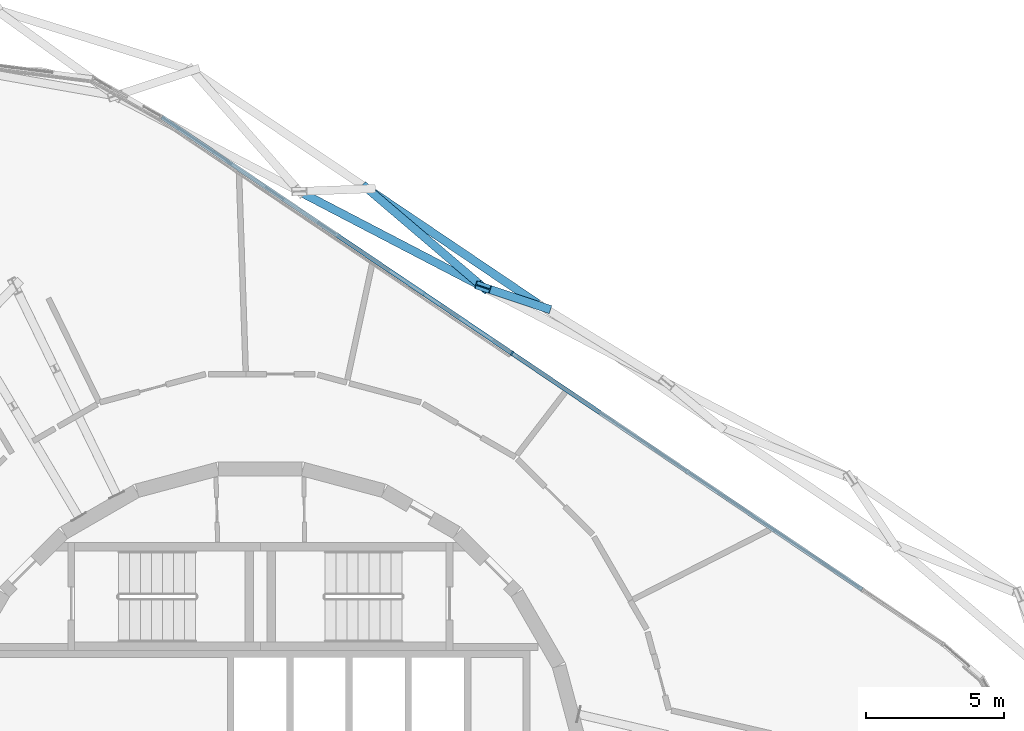
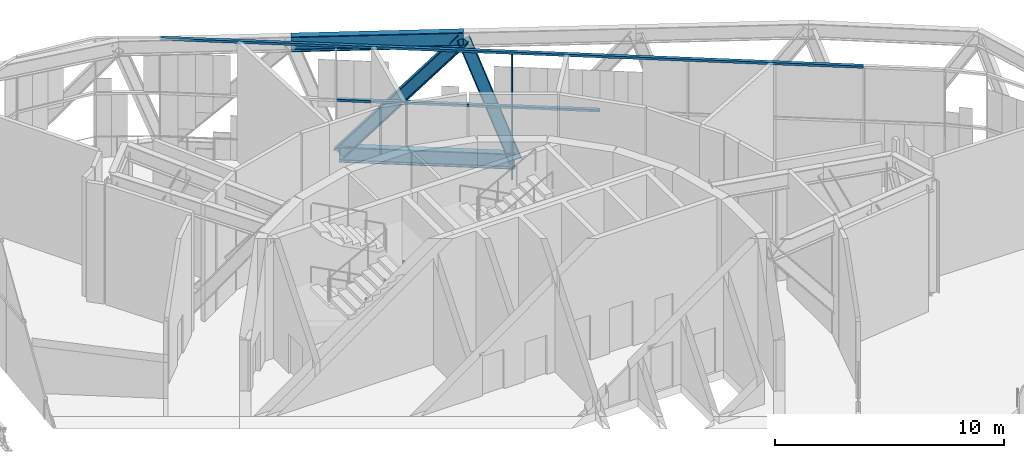
# One storey, part 6 of 24: 9 members, 1 element without a shape of its own.
"""IFC4 building model written with IfcOpenShell, lengths in metres."""

from ifc_helpers import new_model, si_unit, direction, frame, origin, origin_2d, place, context, subcontext, project, spatial, rectangle, i_section, extrude, material, layer, layer_set, material_profile, profile_set, type_object, element, aggregate, save


model = new_model("IFC4")

# Units and contexts
model_context = context("Model", 3, precision=1e-05, world=origin(), true_north=direction((0.0, 1.0)))
body_context = subcontext(model_context, "Body", "Model", "MODEL_VIEW")
ifc_project = project(units=[si_unit("LENGTHUNIT", "METRE"), si_unit("AREAUNIT", "SQUARE_METRE"), si_unit("VOLUMEUNIT", "CUBIC_METRE"), si_unit("PLANEANGLEUNIT", "RADIAN"), si_unit("MASSUNIT", "GRAM", prefix="KILO")], contexts=[model_context])

# Site, building, storey
site_placement = place(None, origin())
site = spatial("IfcSite", under=ifc_project, at=site_placement, CompositionType="ELEMENT")
building_placement = place(site_placement, origin())
building = spatial("IfcBuilding", under=site, at=building_placement, Name="Spindle Arch Residences", CompositionType="ELEMENT")
storey_placement = place(building_placement, frame((0.0, 0.0, 219.89990234375)))
storey = spatial("IfcBuildingStorey", under=building, at=storey_placement, Name="L56", CompositionType="ELEMENT", Elevation=219.89990234375)

# Members
ifc_material_1 = material(Name="Steel S460ML, intumescent coating R 240", Category="steel")
ifc_material_profile_1 = material_profile(ifc_material_1, i_section(OverallWidth=0.302978515625, OverallDepth=0.81396484375, WebThickness=0.02099609375, FlangeThickness=0.0400390625, FilletRadius=0.030029296875, at=origin_2d()), Name="HEM 800")
ifc_profile_set_1 = profile_set([ifc_material_profile_1], Name="Steel S460ML, intumescent coating R 240")
member_type_1 = type_object("IfcMemberType", Name="Belt truss chord HEM 800", PredefinedType="CHORD", material=ifc_profile_set_1)
member_1_placement = place(storey_placement, frame((10.27783203125, 17.530517578125, -0.85693359375), z_axis=(-0.829040654635, 0.559188334072, 0.0), x_axis=(-0.559188334072, -0.829040654635, 0.0)))
element("IfcMember", 1, at=member_1_placement, inside=storey, type_object=member_type_1, Name="Belt truss bottom chord L56.8", PredefinedType="CHORD", context=body_context, shape_type="SweptSolid", body=[
    extrude(i_section(OverallWidth=0.302978515625, OverallDepth=0.81396484375, WebThickness=0.02099609375, FlangeThickness=0.0400390625, FilletRadius=0.030029296875, at=origin_2d()), origin(), (0.0, 0.0, 1.0), 7.69384765625),
])
member_2_placement = place(storey_placement, frame((8.09130859375, 18.261474609375, 5.943115234375), z_axis=(-0.88700649569, 0.461756945377, 0.0), x_axis=(-0.461756945377, -0.88700649569, 0.0)))
element("IfcMember", 2, at=member_2_placement, inside=storey, type_object=member_type_1, Name="Belt truss top chord L56.8", PredefinedType="CHORD", context=body_context, shape_type="SweptSolid", body=[
    extrude(i_section(OverallWidth=0.302978515625, OverallDepth=0.81396484375, WebThickness=0.02099609375, FlangeThickness=0.0400390625, FilletRadius=0.030029296875, at=origin_2d()), origin(), (0.0, 0.0, 1.0), 7.530029296875),
])
ifc_material_2 = material(Name="Steel S460ML, intumescent coating R 240", Category="steel")
ifc_material_profile_2 = material_profile(ifc_material_2, i_section(OverallWidth=0.300048828125, OverallDepth=0.60009765625, WebThickness=0.015380859375, FlangeThickness=0.030029296875, FilletRadius=0.027099609375, at=origin_2d()), Name="HEB 600")
ifc_profile_set_2 = profile_set([ifc_material_profile_2], Name="Steel S460ML, intumescent coating R 240")
member_type_2 = type_object("IfcMemberType", Name="Belt truss diagonal HEB 600", PredefinedType="BRACE", material=ifc_profile_set_2)
member_3_placement = place(storey_placement, frame((10.27783203125, 17.530517578125, -0.85693359375), z_axis=(-0.304519546175, 0.101801197102, 0.947050348327), x_axis=(-0.317053637596, -0.948407607987, 0.0)))
element("IfcMember", 3, at=member_3_placement, inside=storey, type_object=member_type_2, Name="Belt truss diagonal L56.8.8", PredefinedType="BRACE", context=body_context, shape_type="SweptSolid", body=[
    extrude(i_section(OverallWidth=0.300048828125, OverallDepth=0.60009765625, WebThickness=0.015380859375, FlangeThickness=0.030029296875, FilletRadius=0.027099609375, at=origin_2d()), origin(), (0.0, 0.0, 1.0), 7.18017578125),
])
member_4_placement = place(storey_placement, frame((3.8994140625, 21.832763671875, -0.85693359375), z_axis=(0.479060366425, -0.408135995345, 0.777126871639), x_axis=(0.648510224153, 0.761205943992, 0.0)))
element("IfcMember", 4, at=member_4_placement, inside=storey, type_object=member_type_2, Name="Belt truss diagonal L56.8.9", PredefinedType="BRACE", context=body_context, shape_type="SweptSolid", body=[
    extrude(i_section(OverallWidth=0.300048828125, OverallDepth=0.60009765625, WebThickness=0.015380859375, FlangeThickness=0.030029296875, FilletRadius=0.027099609375, at=origin_2d()), origin(), (0.0, 0.0, 1.0), 8.750244140625),
])

# Curtain wall, members
ifc_material_3 = material(Name="Aluminium bronze unitised frame with tinted glass", Category="aluminium")
ifc_layer = layer(ifc_material_3, 0.159912109375)
ifc_layer_set = layer_set([ifc_layer], Name="CW-E double-height winter garden wall")
curtain_wall_type = type_object("IfcCurtainWallType", Name="CW-E double-height winter garden wall", PredefinedType="NOTDEFINED", material=ifc_layer_set)
curtain_wall_placement = place(storey_placement, origin())
curtain_wall = element("IfcCurtainWall", 5, at=curtain_wall_placement, inside=storey, type_object=curtain_wall_type, Name="CW-E L56 run 2", PredefinedType="NOTDEFINED")
ifc_material_4 = material(Name="Aluminium bronze anodised mullion", Category="aluminium")
ifc_material_profile_3 = material_profile(ifc_material_4, rectangle(XDim=0.159912109375, YDim=0.06005859375, at=origin_2d()), Name="MU 60x160")
ifc_profile_set_3 = profile_set([ifc_material_profile_3], Name="Aluminium bronze anodised mullion")
member_type_3 = type_object("IfcMemberType", Name="Bronze mullion 60x160", PredefinedType="MULLION", material=ifc_profile_set_3)
member_5_placement = place(storey_placement, frame((9.148193359375, 15.85595703125, -0.449951171875), z_axis=(0.0, 0.0, 1.0), x_axis=(-0.559192903471, -0.829037572555, 0.0)))
member_5 = element("IfcMember", 6, at=member_5_placement, type_object=member_type_3, Name="CW-E mullion 07", PredefinedType="MULLION", context=body_context, shape_type="SweptSolid", body=[
    extrude(rectangle(XDim=0.159912109375, YDim=0.06005859375, at=origin_2d()), origin(), (0.0, 0.0, 1.0), 6.679931640625),
])
ifc_material_5 = material(Name="Aluminium bronze anodised transom", Category="aluminium")
ifc_material_profile_4 = material_profile(ifc_material_5, rectangle(XDim=0.159912109375, YDim=0.1201171875, at=origin_2d()), Name="TR 120x160")
ifc_profile_set_4 = profile_set([ifc_material_profile_4], Name="Aluminium bronze anodised transom")
member_type_4 = type_object("IfcMemberType", Name="Bronze transom 120x160", PredefinedType="USERDEFINED", material=ifc_profile_set_4)
member_6_placement = place(storey_placement, frame((21.880126953125, 7.26806640625, 6.2900390625), z_axis=(-0.829038450691, 0.559191601578, 0.0), x_axis=(-0.559191601578, -0.829038450691, 0.0)))
member_6 = element("IfcMember", 7, at=member_6_placement, type_object=member_type_4, Name="CW-E transom 00", ObjectType="TRANSOM", PredefinedType="USERDEFINED", context=body_context, shape_type="SweptSolid", body=[
    extrude(rectangle(XDim=0.159912109375, YDim=0.1201171875, at=origin_2d()), origin(), (0.0, 0.0, 1.0), 30.71484375),
])
member_7_placement = place(storey_placement, frame((12.33740234375, 13.704833984375, 3.400146484375), z_axis=(-0.829046613414, 0.559179499612, 0.0), x_axis=(-0.559179499612, -0.829046613414, 0.0)))
member_7 = element("IfcMember", 8, at=member_7_placement, type_object=member_type_4, Name="CW-E transom 06Bm", ObjectType="TRANSOM", PredefinedType="USERDEFINED", context=body_context, shape_type="SweptSolid", body=[
    extrude(rectangle(XDim=0.159912109375, YDim=0.1201171875, at=origin_2d()), origin(), (0.0, 0.0, 1.0), 3.81689453125),
])
member_8_placement = place(storey_placement, frame((9.123291015625, 15.87255859375, 3.400146484375), z_axis=(-0.829016960173, 0.559223461368, 0.0), x_axis=(-0.559223461368, -0.829016960173, 0.0)))
member_8 = element("IfcMember", 9, at=member_8_placement, type_object=member_type_4, Name="CW-E transom 07Am", ObjectType="TRANSOM", PredefinedType="USERDEFINED", context=body_context, shape_type="SweptSolid", body=[
    extrude(rectangle(XDim=0.159912109375, YDim=0.1201171875, at=origin_2d()), origin(), (0.0, 0.0, 1.0), 3.81689453125),
])
member_9_placement = place(storey_placement, frame((5.958984375, 18.007080078125, 3.400146484375), z_axis=(-0.829046613414, 0.559179499612, 0.0), x_axis=(-0.559179499612, -0.829046613414, 0.0)))
member_9 = element("IfcMember", 10, at=member_9_placement, type_object=member_type_4, Name="CW-E transom 07Bm", ObjectType="TRANSOM", PredefinedType="USERDEFINED", context=body_context, shape_type="SweptSolid", body=[
    extrude(rectangle(XDim=0.159912109375, YDim=0.1201171875, at=origin_2d()), origin(), (0.0, 0.0, 1.0), 3.81689453125),
])
aggregate(curtain_wall, [member_6, member_7, member_5, member_8, member_9])

save(model, "model.ifc")
